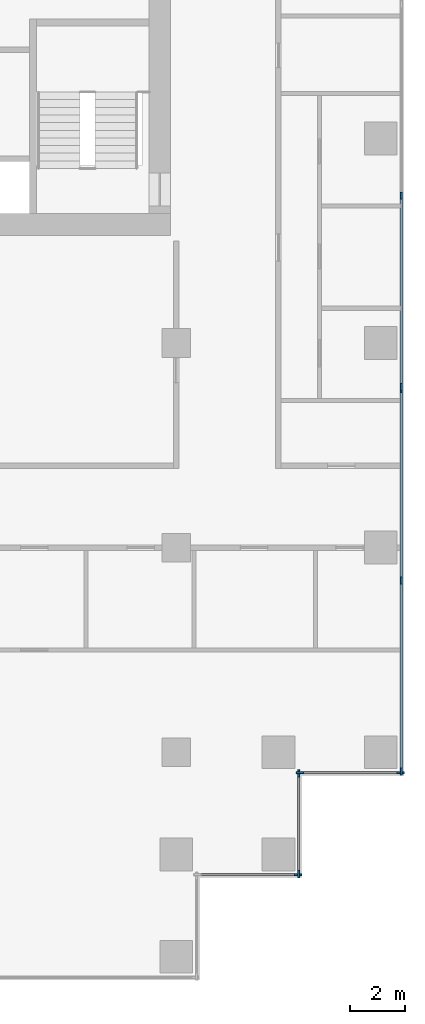
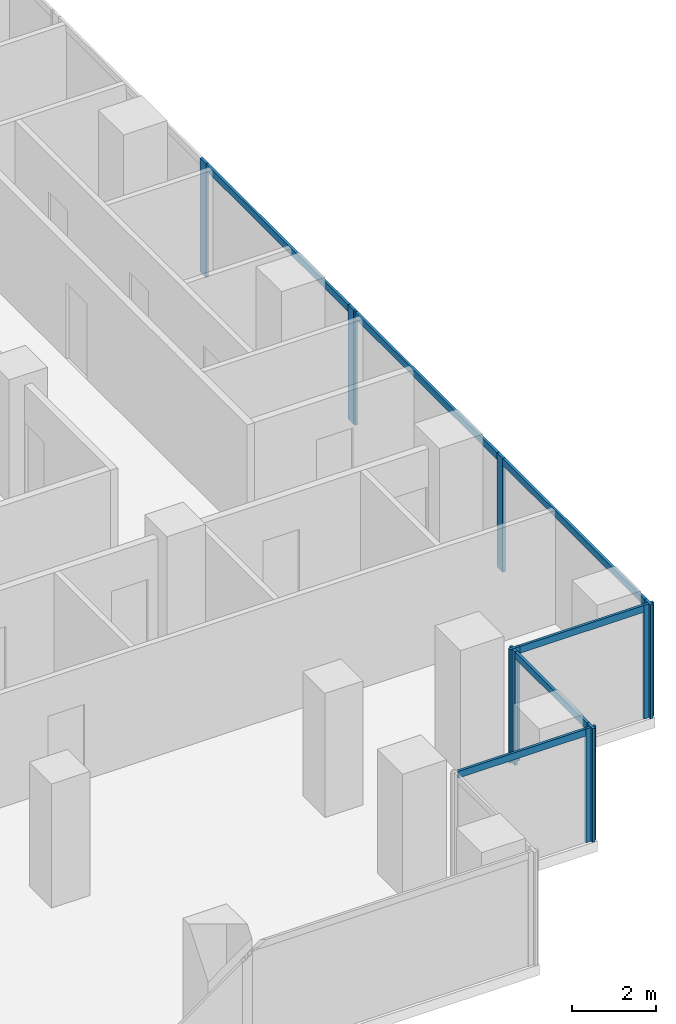
# One storey, part 3 of 10: 16 members, 5 elements without a shape of their own.
"""IFC4 building model written with IfcOpenShell, lengths in metres."""

from ifc_helpers import new_model, si_unit, direction, frame, origin, origin_2d, place, context, subcontext, project, spatial, rectangle, extrude, material, material_profile, profile_set, type_object, element, aggregate, save


model = new_model("IFC4")

# Units and contexts
model_context = context("Model", 3, precision=1e-05, world=origin(), true_north=direction((0.0, 1.0)))
body_context = subcontext(model_context, "Body", "Model", "MODEL_VIEW")
ifc_project = project(units=[si_unit("LENGTHUNIT", "METRE"), si_unit("AREAUNIT", "SQUARE_METRE"), si_unit("VOLUMEUNIT", "CUBIC_METRE"), si_unit("PLANEANGLEUNIT", "RADIAN"), si_unit("MASSUNIT", "GRAM", prefix="KILO")], contexts=[model_context])

# Site, building, storey
site_placement = place(None, origin())
site = spatial("IfcSite", under=ifc_project, at=site_placement, CompositionType="ELEMENT")
building_placement = place(site_placement, origin())
building = spatial("IfcBuilding", under=site, at=building_placement, Name="Pilkhan Gate Tower", CompositionType="ELEMENT")
storey_placement = place(building_placement, frame((0.0, 0.0, 162.10009765625)))
storey = spatial("IfcBuildingStorey", under=building, at=storey_placement, Name="L41", CompositionType="ELEMENT", Elevation=162.10009765625)

# Curtain wall, members
ifc_material_1 = material(Name="Pale anodised aluminium, clear low-iron double glazing", Category="aluminium")
curtain_wall_type = type_object("IfcCurtainWallType", Name="Office unitised curtain wall CW-O1", PredefinedType="USERDEFINED", material=ifc_material_1)
curtain_wall_1_placement = place(storey_placement, origin())
curtain_wall_1 = element("IfcCurtainWall", 1, at=curtain_wall_1_placement, inside=storey, type_object=curtain_wall_type, Name="Office unitised curtain wall CW-O1 L41 E", ObjectType="UNITISED CURTAIN WALL", PredefinedType="USERDEFINED")
ifc_material_2 = material(Name="Pale anodised aluminium", Category="aluminium")
ifc_material_profile_1 = material_profile(ifc_material_2, rectangle(XDim=0.070068359375, YDim=0.27490234375, at=origin_2d()), Name="Mullion 275x70")
ifc_profile_set_1 = profile_set([ifc_material_profile_1], Name="Pale anodised aluminium")
member_type_1 = type_object("IfcMemberType", Name="Mullion CW-O1 275x70", PredefinedType="MULLION", material=ifc_profile_set_1)
member_1_placement = place(storey_placement, frame((98.25, 51.784912109375, 0.0), z_axis=(0.0, 0.0, 1.0), x_axis=(-1.0, 0.0, 0.0)))
member_1 = element("IfcMember", 2, at=member_1_placement, type_object=member_type_1, Name="CW-O1 mullion 1", PredefinedType="MULLION", context=body_context, shape_type="SweptSolid", body=[
    extrude(rectangle(XDim=0.070068359375, YDim=0.27490234375, at=origin_2d()), origin(), (0.0, 0.0, 1.0), 3.2998046875),
])
member_2_placement = place(storey_placement, frame((98.25, 58.800048828125, 0.0), z_axis=(0.0, 0.0, 1.0), x_axis=(-1.0, 0.0, 0.0)))
member_2 = element("IfcMember", 3, at=member_2_placement, type_object=member_type_1, Name="CW-O1 mullion 2", PredefinedType="MULLION", context=body_context, shape_type="SweptSolid", body=[
    extrude(rectangle(XDim=0.070068359375, YDim=0.27490234375, at=origin_2d()), origin(), (0.0, 0.0, 1.0), 3.2998046875),
])
member_3_placement = place(storey_placement, frame((98.25, 65.81494140625, 0.0), z_axis=(0.0, 0.0, 1.0), x_axis=(-1.0, 0.0, 0.0)))
member_3 = element("IfcMember", 4, at=member_3_placement, type_object=member_type_1, Name="CW-O1 mullion 3", PredefinedType="MULLION", context=body_context, shape_type="SweptSolid", body=[
    extrude(rectangle(XDim=0.070068359375, YDim=0.27490234375, at=origin_2d()), origin(), (0.0, 0.0, 1.0), 3.2998046875),
])

curtain_wall_2_placement = place(storey_placement, origin())
curtain_wall_2 = element("IfcCurtainWall", 5, at=curtain_wall_2_placement, inside=storey, type_object=curtain_wall_type, Name="Office unitised curtain wall CW-O1 L41 E", ObjectType="UNITISED CURTAIN WALL", PredefinedType="USERDEFINED")
member_4_placement = place(storey_placement, frame((98.25, 65.885009765625, 0.0), z_axis=(0.0, 0.0, 1.0), x_axis=(-1.0, 0.0, 0.0)))
member_4 = element("IfcMember", 6, at=member_4_placement, type_object=member_type_1, Name="CW-O1 mullion 1", PredefinedType="MULLION", context=body_context, shape_type="SweptSolid", body=[
    extrude(rectangle(XDim=0.070068359375, YDim=0.27490234375, at=origin_2d()), origin(), (0.0, 0.0, 1.0), 3.2998046875),
])
member_5_placement = place(storey_placement, frame((98.25, 72.89990234375, 0.0), z_axis=(0.0, 0.0, 1.0), x_axis=(-1.0, 0.0, 0.0)))
member_5 = element("IfcMember", 7, at=member_5_placement, type_object=member_type_1, Name="CW-O1 mullion 2", PredefinedType="MULLION", context=body_context, shape_type="SweptSolid", body=[
    extrude(rectangle(XDim=0.070068359375, YDim=0.27490234375, at=origin_2d()), origin(), (0.0, 0.0, 1.0), 3.2998046875),
])

# Curtain wall, member
curtain_wall_3_placement = place(storey_placement, origin())
curtain_wall_3 = element("IfcCurtainWall", 8, at=curtain_wall_3_placement, inside=storey, type_object=curtain_wall_type, Name="Office unitised curtain wall CW-O1 L41 S", ObjectType="UNITISED CURTAIN WALL", PredefinedType="USERDEFINED")
member_6_placement = place(storey_placement, frame((94.465087890625, 48.0, 0.0), z_axis=(0.0, 0.0, 1.0), x_axis=(0.0, 1.0, 0.0)))
member_6 = element("IfcMember", 9, at=member_6_placement, type_object=member_type_1, Name="CW-O1 mullion 2", PredefinedType="MULLION", context=body_context, shape_type="SweptSolid", body=[
    extrude(rectangle(XDim=0.070068359375, YDim=0.27490234375, at=origin_2d()), origin(), (0.0, 0.0, 1.0), 3.2998046875),
])

# Curtain wall, members
curtain_wall_4_placement = place(storey_placement, origin())
curtain_wall_4 = element("IfcCurtainWall", 10, at=curtain_wall_4_placement, inside=storey, type_object=curtain_wall_type, Name="Office unitised curtain wall CW-O1 L41 E", ObjectType="UNITISED CURTAIN WALL", PredefinedType="USERDEFINED")
member_7_placement = place(storey_placement, frame((94.5, 48.034912109375, 0.0), z_axis=(0.0, 0.0, 1.0), x_axis=(-1.0, 0.0, 0.0)))
member_7 = element("IfcMember", 11, at=member_7_placement, type_object=member_type_1, Name="CW-O1 mullion 1", PredefinedType="MULLION", context=body_context, shape_type="SweptSolid", body=[
    extrude(rectangle(XDim=0.070068359375, YDim=0.27490234375, at=origin_2d()), origin(), (0.0, 0.0, 1.0), 3.2998046875),
])
member_8_placement = place(storey_placement, frame((94.5, 51.715087890625, 0.0), z_axis=(0.0, 0.0, 1.0), x_axis=(-1.0, 0.0, 0.0)))
member_8 = element("IfcMember", 12, at=member_8_placement, type_object=member_type_1, Name="CW-O1 mullion 2", PredefinedType="MULLION", context=body_context, shape_type="SweptSolid", body=[
    extrude(rectangle(XDim=0.070068359375, YDim=0.27490234375, at=origin_2d()), origin(), (0.0, 0.0, 1.0), 3.2998046875),
])

curtain_wall_5_placement = place(storey_placement, origin())
curtain_wall_5 = element("IfcCurtainWall", 13, at=curtain_wall_5_placement, inside=storey, type_object=curtain_wall_type, Name="Office unitised curtain wall CW-O1 L41 S", ObjectType="UNITISED CURTAIN WALL", PredefinedType="USERDEFINED")
member_9_placement = place(storey_placement, frame((94.534912109375, 51.75, 0.0), z_axis=(0.0, 0.0, 1.0), x_axis=(0.0, 1.0, 0.0)))
member_9 = element("IfcMember", 14, at=member_9_placement, type_object=member_type_1, Name="CW-O1 mullion 1", PredefinedType="MULLION", context=body_context, shape_type="SweptSolid", body=[
    extrude(rectangle(XDim=0.070068359375, YDim=0.27490234375, at=origin_2d()), origin(), (0.0, 0.0, 1.0), 3.2998046875),
])
member_10_placement = place(storey_placement, frame((98.215087890625, 51.75, 0.0), z_axis=(0.0, 0.0, 1.0), x_axis=(0.0, 1.0, 0.0)))
member_10 = element("IfcMember", 15, at=member_10_placement, type_object=member_type_1, Name="CW-O1 mullion 2", PredefinedType="MULLION", context=body_context, shape_type="SweptSolid", body=[
    extrude(rectangle(XDim=0.070068359375, YDim=0.27490234375, at=origin_2d()), origin(), (0.0, 0.0, 1.0), 3.2998046875),
])

# Member
ifc_material_profile_2 = material_profile(ifc_material_2, rectangle(XDim=0.070068359375, YDim=0.199951171875, at=origin_2d()), Name="Transom 200x70")
ifc_profile_set_2 = profile_set([ifc_material_profile_2], Name="Pale anodised aluminium")
member_type_2 = type_object("IfcMemberType", Name="Transom CW-O1 200x70", PredefinedType="USERDEFINED", material=ifc_profile_set_2)
member_11_placement = place(storey_placement, frame((98.25, 51.820068359375, 3.199951171875), z_axis=(0.0, 1.0, 0.0), x_axis=(-1.0, 0.0, 0.0)))
member_11 = element("IfcMember", 16, at=member_11_placement, type_object=member_type_2, Name="CW-O1 transom 1", ObjectType="TRANSOM", PredefinedType="USERDEFINED", context=body_context, shape_type="SweptSolid", body=[
    extrude(rectangle(XDim=0.070068359375, YDim=0.199951171875, at=origin_2d()), origin(), (0.0, 0.0, 1.0), 6.94482421875),
])

member_12_placement = place(storey_placement, frame((98.25, 58.8349609375, 3.199951171875), z_axis=(0.0, 1.0, 0.0), x_axis=(-1.0, 0.0, 0.0)))
member_12 = element("IfcMember", 17, at=member_12_placement, type_object=member_type_2, Name="CW-O1 transom 2", ObjectType="TRANSOM", PredefinedType="USERDEFINED", context=body_context, shape_type="SweptSolid", body=[
    extrude(rectangle(XDim=0.070068359375, YDim=0.199951171875, at=origin_2d()), origin(), (0.0, 0.0, 1.0), 6.945068359375),
])

aggregate(curtain_wall_1, [member_1, member_2, member_3, member_11, member_12])

member_13_placement = place(storey_placement, frame((98.25, 65.919921875, 3.199951171875), z_axis=(0.0, 1.0, 0.0), x_axis=(-1.0, 0.0, 0.0)))
member_13 = element("IfcMember", 18, at=member_13_placement, type_object=member_type_2, Name="CW-O1 transom 1", ObjectType="TRANSOM", PredefinedType="USERDEFINED", context=body_context, shape_type="SweptSolid", body=[
    extrude(rectangle(XDim=0.070068359375, YDim=0.199951171875, at=origin_2d()), origin(), (0.0, 0.0, 1.0), 6.945068359375),
])

aggregate(curtain_wall_2, [member_4, member_5, member_13])

member_14_placement = place(storey_placement, frame((90.820068359375, 48.0, 3.199951171875), z_axis=(1.0, 0.0, 0.0), x_axis=(0.0, 1.0, 0.0)))
member_14 = element("IfcMember", 19, at=member_14_placement, type_object=member_type_2, Name="CW-O1 transom 1", ObjectType="TRANSOM", PredefinedType="USERDEFINED", context=body_context, shape_type="SweptSolid", body=[
    extrude(rectangle(XDim=0.070068359375, YDim=0.199951171875, at=origin_2d()), origin(), (0.0, 0.0, 1.0), 3.60986328125),
])

aggregate(curtain_wall_3, [member_6, member_14])

member_15_placement = place(storey_placement, frame((94.5, 48.070068359375, 3.199951171875), z_axis=(0.0, 1.0, 0.0), x_axis=(-1.0, 0.0, 0.0)))
member_15 = element("IfcMember", 20, at=member_15_placement, type_object=member_type_2, Name="CW-O1 transom 1", ObjectType="TRANSOM", PredefinedType="USERDEFINED", context=body_context, shape_type="SweptSolid", body=[
    extrude(rectangle(XDim=0.070068359375, YDim=0.199951171875, at=origin_2d()), origin(), (0.0, 0.0, 1.0), 3.60986328125),
])

aggregate(curtain_wall_4, [member_7, member_8, member_15])

member_16_placement = place(storey_placement, frame((94.570068359375, 51.75, 3.199951171875), z_axis=(1.0, 0.0, 0.0), x_axis=(0.0, 1.0, 0.0)))
member_16 = element("IfcMember", 21, at=member_16_placement, type_object=member_type_2, Name="CW-O1 transom 1", ObjectType="TRANSOM", PredefinedType="USERDEFINED", context=body_context, shape_type="SweptSolid", body=[
    extrude(rectangle(XDim=0.070068359375, YDim=0.199951171875, at=origin_2d()), origin(), (0.0, 0.0, 1.0), 3.60986328125),
])

aggregate(curtain_wall_5, [member_9, member_10, member_16])

save(model, "model.ifc")
